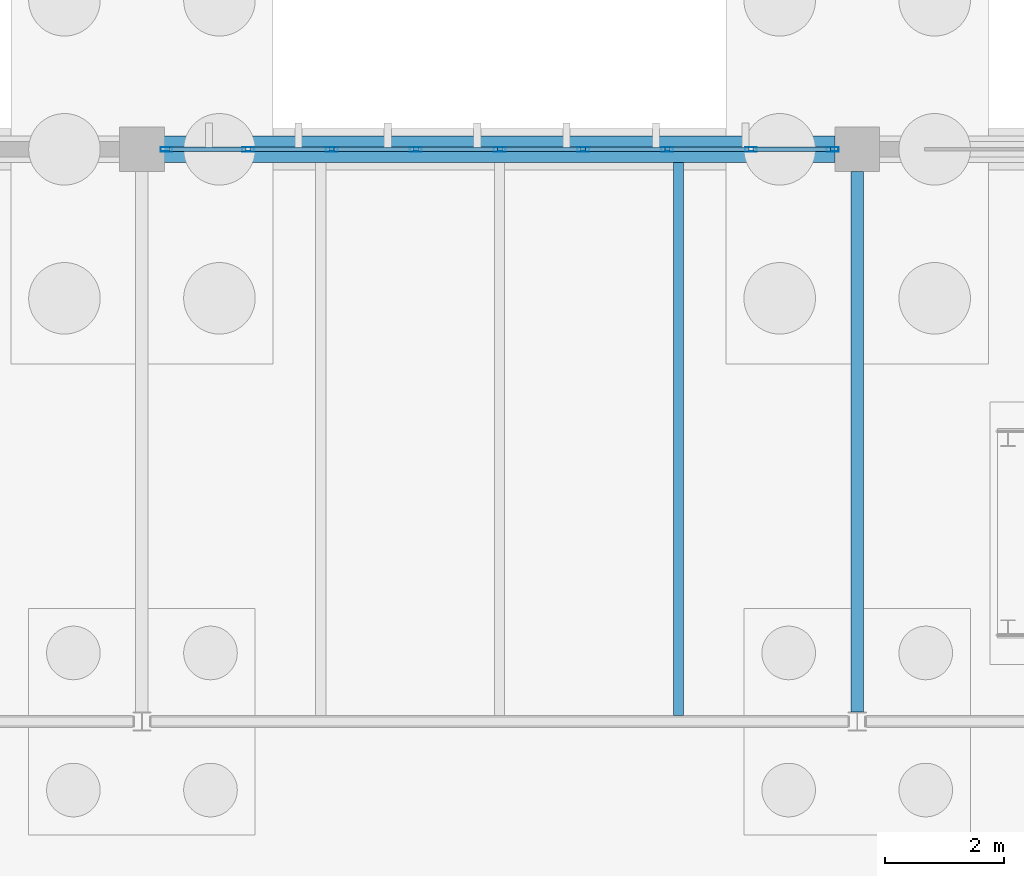
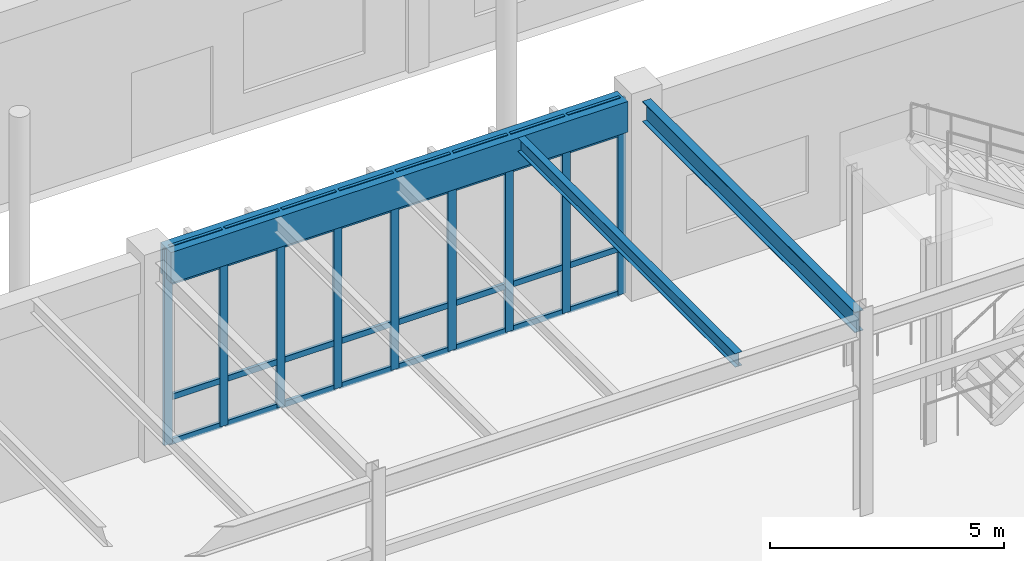
# One storey, part 77 of 188: 41 members, 3 beams, 1 element without a shape of its own.
"""IFC4 building model written with IfcOpenShell, lengths in metres."""

from ifc_helpers import new_model, si_unit, direction, frame, origin, origin_2d, place, context, subcontext, project, spatial, rectangle, hollow_rectangle, i_section, extrude, material, layer, layer_set, material_profile, profile_set, type_object, element, aggregate, save


model = new_model("IFC4")

# Units and contexts
model_context = context("Model", 3, precision=1e-05, world=origin(), true_north=direction((0.0, 1.0)))
body_context = subcontext(model_context, "Body", "Model", "MODEL_VIEW")
ifc_project = project(units=[si_unit("LENGTHUNIT", "METRE"), si_unit("AREAUNIT", "SQUARE_METRE"), si_unit("VOLUMEUNIT", "CUBIC_METRE"), si_unit("PLANEANGLEUNIT", "RADIAN"), si_unit("MASSUNIT", "GRAM", prefix="KILO")], contexts=[model_context])

# Site, building, storey
site_placement = place(None, origin())
site = spatial("IfcSite", under=ifc_project, at=site_placement, CompositionType="ELEMENT")
building_placement = place(site_placement, origin())
building = spatial("IfcBuilding", under=site, at=building_placement, Name="Pandanus Reach Market Hall", CompositionType="ELEMENT")
storey_placement = place(building_placement, origin())
storey = spatial("IfcBuildingStorey", under=building, at=storey_placement, Name="L00", CompositionType="ELEMENT", Elevation=0.0)

# Beams
ifc_material_1 = material(Name="Concrete N40 (40 MPa)", Category="concrete")
ifc_material_profile_1 = material_profile(ifc_material_1, rectangle(XDim=0.449951171875, YDim=0.800048828125, at=origin_2d()), Name="RC450x800", Category="LoadBearing")
ifc_profile_set_1 = profile_set([ifc_material_profile_1], Name="Concrete N40 (40 MPa)")
beam_type_1 = type_object("IfcBeamType", Name="BM-RC450-E", PredefinedType="SPANDREL", material=ifc_profile_set_1)
beam_1_placement = place(storey_placement, frame((72.373046875, 86.39990234375, 4.719970703125), z_axis=(1.0, 0.0, 0.0), x_axis=(0.0, 1.0, 0.0)))
element("IfcBeam", 1, at=beam_1_placement, inside=storey, type_object=beam_type_1, Name="Framing beam BM-RC450-E L00.1061", PredefinedType="SPANDREL", context=body_context, shape_type="SweptSolid", body=[
    extrude(rectangle(XDim=0.449951171875, YDim=0.800048828125, at=origin_2d()), origin(), (0.0, 0.0, 1.0), 11.25390625),
])
ifc_material_2 = material(Name="Steel Grade 350 (350 MPa)", Category="steel")
ifc_material_profile_2 = material_profile(ifc_material_2, i_section(OverallWidth=0.208984375, OverallDepth=0.532958984375, WebThickness=0.01025390625, FlangeThickness=0.015625, at=origin_2d()), Name="530UB92.4", Category="LoadBearing")
ifc_profile_set_2 = profile_set([ifc_material_profile_2], Name="Steel Grade 350 (350 MPa)")
beam_type_2 = type_object("IfcBeamType", Name="BM-UB530-I", PredefinedType="BEAM", material=ifc_profile_set_2)
beam_2_placement = place(storey_placement, frame((84.0, 76.95556640625, 4.85302734375), z_axis=(0.0, 1.0, 0.0), x_axis=(-1.0, 0.0, 0.0)))
element("IfcBeam", 2, at=beam_2_placement, inside=storey, type_object=beam_type_2, Name="Framing beam BM-UB530-I L00.1073", PredefinedType="BEAM", context=body_context, shape_type="SweptSolid", body=[
    extrude(i_section(OverallWidth=0.208984375, OverallDepth=0.532958984375, WebThickness=0.01025390625, FlangeThickness=0.015625, at=origin_2d()), origin(), (0.0, 0.0, 1.0), 9.071533203125),
])

# Curtain wall, members
ifc_material_3 = material(Name="Bronze anodised aluminium and low-E glass", Category="aluminium")
ifc_layer = layer(ifc_material_3, 0.199951171875, Name="CW-01")
ifc_layer_set = layer_set([ifc_layer], Name="Bronze anodised aluminium and low-E glass")
curtain_wall_type = type_object("IfcCurtainWallType", Name="CW-01", PredefinedType="NOTDEFINED", material=ifc_layer_set)
curtain_wall_placement = place(storey_placement, origin())
curtain_wall = element("IfcCurtainWall", 3, at=curtain_wall_placement, inside=storey, type_object=curtain_wall_type, Name="Glazed curtain wall CW-01 CW-0011", PredefinedType="NOTDEFINED")
ifc_material_4 = material(Name="Bronze anodised aluminium", Category="aluminium")
ifc_material_profile_3 = material_profile(ifc_material_4, hollow_rectangle(XDim=0.074951171875, YDim=0.199951171875, WallThickness=0.00439453125, at=origin_2d()), Name="ALU75x200", Category="LoadBearing")
ifc_profile_set_3 = profile_set([ifc_material_profile_3], Name="Bronze anodised aluminium")
member_type_1 = type_object("IfcMemberType", Name="CW-M2", PredefinedType="MULLION", material=ifc_profile_set_3)
member_1_placement = place(storey_placement, frame((72.41259765625, 86.39990234375, 0.0), z_axis=(0.0, 0.0, 1.0), x_axis=(0.0, 1.0, 0.0)))
member_1 = element("IfcMember", 4, at=member_1_placement, type_object=member_type_1, Name="CW-01 mullion 1", PredefinedType="MULLION", context=body_context, shape_type="SweptSolid", body=[
    extrude(hollow_rectangle(XDim=0.074951171875, YDim=0.199951171875, WallThickness=0.00439453125, at=origin_2d()), origin(), (0.0, 0.0, 1.0), 5.10009765625),
])
member_2_placement = place(storey_placement, frame((73.78125, 86.39990234375, 0.0), z_axis=(0.0, 0.0, 1.0), x_axis=(0.0, 1.0, 0.0)))
member_2 = element("IfcMember", 5, at=member_2_placement, type_object=member_type_1, Name="CW-01 mullion 2", PredefinedType="MULLION", context=body_context, shape_type="SweptSolid", body=[
    extrude(hollow_rectangle(XDim=0.074951171875, YDim=0.199951171875, WallThickness=0.00439453125, at=origin_2d()), origin(), (0.0, 0.0, 1.0), 5.10009765625),
])
member_3_placement = place(storey_placement, frame((75.1875, 86.39990234375, 0.0), z_axis=(0.0, 0.0, 1.0), x_axis=(0.0, 1.0, 0.0)))
member_3 = element("IfcMember", 6, at=member_3_placement, type_object=member_type_1, Name="CW-01 mullion 3", PredefinedType="MULLION", context=body_context, shape_type="SweptSolid", body=[
    extrude(hollow_rectangle(XDim=0.074951171875, YDim=0.199951171875, WallThickness=0.00439453125, at=origin_2d()), origin(), (0.0, 0.0, 1.0), 5.10009765625),
])
member_4_placement = place(storey_placement, frame((76.59375, 86.39990234375, 0.0), z_axis=(0.0, 0.0, 1.0), x_axis=(0.0, 1.0, 0.0)))
member_4 = element("IfcMember", 7, at=member_4_placement, type_object=member_type_1, Name="CW-01 mullion 4", PredefinedType="MULLION", context=body_context, shape_type="SweptSolid", body=[
    extrude(hollow_rectangle(XDim=0.074951171875, YDim=0.199951171875, WallThickness=0.00439453125, at=origin_2d()), origin(), (0.0, 0.0, 1.0), 5.10009765625),
])
member_5_placement = place(storey_placement, frame((78.0, 86.39990234375, 0.0), z_axis=(0.0, 0.0, 1.0), x_axis=(0.0, 1.0, 0.0)))
member_5 = element("IfcMember", 8, at=member_5_placement, type_object=member_type_1, Name="CW-01 mullion 5", PredefinedType="MULLION", context=body_context, shape_type="SweptSolid", body=[
    extrude(hollow_rectangle(XDim=0.074951171875, YDim=0.199951171875, WallThickness=0.00439453125, at=origin_2d()), origin(), (0.0, 0.0, 1.0), 5.10009765625),
])
member_6_placement = place(storey_placement, frame((79.40625, 86.39990234375, 0.0), z_axis=(0.0, 0.0, 1.0), x_axis=(0.0, 1.0, 0.0)))
member_6 = element("IfcMember", 9, at=member_6_placement, type_object=member_type_1, Name="CW-01 mullion 6", PredefinedType="MULLION", context=body_context, shape_type="SweptSolid", body=[
    extrude(hollow_rectangle(XDim=0.074951171875, YDim=0.199951171875, WallThickness=0.00439453125, at=origin_2d()), origin(), (0.0, 0.0, 1.0), 5.10009765625),
])
member_7_placement = place(storey_placement, frame((80.8125, 86.39990234375, 0.0), z_axis=(0.0, 0.0, 1.0), x_axis=(0.0, 1.0, 0.0)))
member_7 = element("IfcMember", 10, at=member_7_placement, type_object=member_type_1, Name="CW-01 mullion 7", PredefinedType="MULLION", context=body_context, shape_type="SweptSolid", body=[
    extrude(hollow_rectangle(XDim=0.074951171875, YDim=0.199951171875, WallThickness=0.00439453125, at=origin_2d()), origin(), (0.0, 0.0, 1.0), 5.10009765625),
])
member_8_placement = place(storey_placement, frame((82.21875, 86.39990234375, 0.0), z_axis=(0.0, 0.0, 1.0), x_axis=(0.0, 1.0, 0.0)))
member_8 = element("IfcMember", 11, at=member_8_placement, type_object=member_type_1, Name="CW-01 mullion 8", PredefinedType="MULLION", context=body_context, shape_type="SweptSolid", body=[
    extrude(hollow_rectangle(XDim=0.074951171875, YDim=0.199951171875, WallThickness=0.00439453125, at=origin_2d()), origin(), (0.0, 0.0, 1.0), 5.10009765625),
])
member_9_placement = place(storey_placement, frame((83.58740234375, 86.39990234375, 0.0), z_axis=(0.0, 0.0, 1.0), x_axis=(0.0, 1.0, 0.0)))
member_9 = element("IfcMember", 12, at=member_9_placement, type_object=member_type_1, Name="CW-01 mullion 9", PredefinedType="MULLION", context=body_context, shape_type="SweptSolid", body=[
    extrude(hollow_rectangle(XDim=0.074951171875, YDim=0.199951171875, WallThickness=0.00439453125, at=origin_2d()), origin(), (0.0, 0.0, 1.0), 5.10009765625),
])
ifc_material_profile_4 = material_profile(ifc_material_4, hollow_rectangle(XDim=0.074951171875, YDim=0.14990234375, WallThickness=0.00439453125, at=origin_2d()), Name="ALU75x150", Category="LoadBearing")
ifc_profile_set_4 = profile_set([ifc_material_profile_4], Name="Bronze anodised aluminium")
member_type_2 = type_object("IfcMemberType", Name="CW-T2", PredefinedType="USERDEFINED", material=ifc_profile_set_4)
member_10_placement = place(storey_placement, frame((72.449951171875, 86.39990234375, 0.03759765625), z_axis=(1.0, 0.0, 0.0), x_axis=(0.0, 1.0, 0.0)))
member_10 = element("IfcMember", 13, at=member_10_placement, type_object=member_type_2, Name="CW-01 transom 1.1", ObjectType="TRANSOM", PredefinedType="USERDEFINED", context=body_context, shape_type="SweptSolid", body=[
    extrude(hollow_rectangle(XDim=0.074951171875, YDim=0.14990234375, WallThickness=0.00439453125, at=origin_2d()), origin(), (0.0, 0.0, 1.0), 1.293701171875),
])
member_11_placement = place(storey_placement, frame((72.449951171875, 86.39990234375, 1.199951171875), z_axis=(1.0, 0.0, 0.0), x_axis=(0.0, 1.0, 0.0)))
member_11 = element("IfcMember", 14, at=member_11_placement, type_object=member_type_2, Name="CW-01 transom 1.2", ObjectType="TRANSOM", PredefinedType="USERDEFINED", context=body_context, shape_type="SweptSolid", body=[
    extrude(hollow_rectangle(XDim=0.074951171875, YDim=0.14990234375, WallThickness=0.00439453125, at=origin_2d()), origin(), (0.0, 0.0, 1.0), 1.293701171875),
])
member_12_placement = place(storey_placement, frame((72.449951171875, 86.39990234375, 4.199951171875), z_axis=(1.0, 0.0, 0.0), x_axis=(0.0, 1.0, 0.0)))
member_12 = element("IfcMember", 15, at=member_12_placement, type_object=member_type_2, Name="CW-01 transom 1.3", ObjectType="TRANSOM", PredefinedType="USERDEFINED", context=body_context, shape_type="SweptSolid", body=[
    extrude(hollow_rectangle(XDim=0.074951171875, YDim=0.14990234375, WallThickness=0.00439453125, at=origin_2d()), origin(), (0.0, 0.0, 1.0), 1.293701171875),
])
member_13_placement = place(storey_placement, frame((72.449951171875, 86.39990234375, 5.0625), z_axis=(1.0, 0.0, 0.0), x_axis=(0.0, 1.0, 0.0)))
member_13 = element("IfcMember", 16, at=member_13_placement, type_object=member_type_2, Name="CW-01 transom 1.4", ObjectType="TRANSOM", PredefinedType="USERDEFINED", context=body_context, shape_type="SweptSolid", body=[
    extrude(hollow_rectangle(XDim=0.074951171875, YDim=0.14990234375, WallThickness=0.00439453125, at=origin_2d()), origin(), (0.0, 0.0, 1.0), 1.293701171875),
])
member_14_placement = place(storey_placement, frame((73.81884765625, 86.39990234375, 0.03759765625), z_axis=(1.0, 0.0, 0.0), x_axis=(0.0, 1.0, 0.0)))
member_14 = element("IfcMember", 17, at=member_14_placement, type_object=member_type_2, Name="CW-01 transom 2.1", ObjectType="TRANSOM", PredefinedType="USERDEFINED", context=body_context, shape_type="SweptSolid", body=[
    extrude(hollow_rectangle(XDim=0.074951171875, YDim=0.14990234375, WallThickness=0.00439453125, at=origin_2d()), origin(), (0.0, 0.0, 1.0), 1.3310546875),
])
member_15_placement = place(storey_placement, frame((73.81884765625, 86.39990234375, 1.199951171875), z_axis=(1.0, 0.0, 0.0), x_axis=(0.0, 1.0, 0.0)))
member_15 = element("IfcMember", 18, at=member_15_placement, type_object=member_type_2, Name="CW-01 transom 2.2", ObjectType="TRANSOM", PredefinedType="USERDEFINED", context=body_context, shape_type="SweptSolid", body=[
    extrude(hollow_rectangle(XDim=0.074951171875, YDim=0.14990234375, WallThickness=0.00439453125, at=origin_2d()), origin(), (0.0, 0.0, 1.0), 1.3310546875),
])
member_16_placement = place(storey_placement, frame((73.81884765625, 86.39990234375, 4.199951171875), z_axis=(1.0, 0.0, 0.0), x_axis=(0.0, 1.0, 0.0)))
member_16 = element("IfcMember", 19, at=member_16_placement, type_object=member_type_2, Name="CW-01 transom 2.3", ObjectType="TRANSOM", PredefinedType="USERDEFINED", context=body_context, shape_type="SweptSolid", body=[
    extrude(hollow_rectangle(XDim=0.074951171875, YDim=0.14990234375, WallThickness=0.00439453125, at=origin_2d()), origin(), (0.0, 0.0, 1.0), 1.3310546875),
])
member_17_placement = place(storey_placement, frame((73.81884765625, 86.39990234375, 5.0625), z_axis=(1.0, 0.0, 0.0), x_axis=(0.0, 1.0, 0.0)))
member_17 = element("IfcMember", 20, at=member_17_placement, type_object=member_type_2, Name="CW-01 transom 2.4", ObjectType="TRANSOM", PredefinedType="USERDEFINED", context=body_context, shape_type="SweptSolid", body=[
    extrude(hollow_rectangle(XDim=0.074951171875, YDim=0.14990234375, WallThickness=0.00439453125, at=origin_2d()), origin(), (0.0, 0.0, 1.0), 1.3310546875),
])
member_18_placement = place(storey_placement, frame((75.22509765625, 86.39990234375, 0.03759765625), z_axis=(1.0, 0.0, 0.0), x_axis=(0.0, 1.0, 0.0)))
member_18 = element("IfcMember", 21, at=member_18_placement, type_object=member_type_2, Name="CW-01 transom 3.1", ObjectType="TRANSOM", PredefinedType="USERDEFINED", context=body_context, shape_type="SweptSolid", body=[
    extrude(hollow_rectangle(XDim=0.074951171875, YDim=0.14990234375, WallThickness=0.00439453125, at=origin_2d()), origin(), (0.0, 0.0, 1.0), 1.3310546875),
])
member_19_placement = place(storey_placement, frame((75.22509765625, 86.39990234375, 1.199951171875), z_axis=(1.0, 0.0, 0.0), x_axis=(0.0, 1.0, 0.0)))
member_19 = element("IfcMember", 22, at=member_19_placement, type_object=member_type_2, Name="CW-01 transom 3.2", ObjectType="TRANSOM", PredefinedType="USERDEFINED", context=body_context, shape_type="SweptSolid", body=[
    extrude(hollow_rectangle(XDim=0.074951171875, YDim=0.14990234375, WallThickness=0.00439453125, at=origin_2d()), origin(), (0.0, 0.0, 1.0), 1.3310546875),
])
member_20_placement = place(storey_placement, frame((75.22509765625, 86.39990234375, 4.199951171875), z_axis=(1.0, 0.0, 0.0), x_axis=(0.0, 1.0, 0.0)))
member_20 = element("IfcMember", 23, at=member_20_placement, type_object=member_type_2, Name="CW-01 transom 3.3", ObjectType="TRANSOM", PredefinedType="USERDEFINED", context=body_context, shape_type="SweptSolid", body=[
    extrude(hollow_rectangle(XDim=0.074951171875, YDim=0.14990234375, WallThickness=0.00439453125, at=origin_2d()), origin(), (0.0, 0.0, 1.0), 1.3310546875),
])
member_21_placement = place(storey_placement, frame((75.22509765625, 86.39990234375, 5.0625), z_axis=(1.0, 0.0, 0.0), x_axis=(0.0, 1.0, 0.0)))
member_21 = element("IfcMember", 24, at=member_21_placement, type_object=member_type_2, Name="CW-01 transom 3.4", ObjectType="TRANSOM", PredefinedType="USERDEFINED", context=body_context, shape_type="SweptSolid", body=[
    extrude(hollow_rectangle(XDim=0.074951171875, YDim=0.14990234375, WallThickness=0.00439453125, at=origin_2d()), origin(), (0.0, 0.0, 1.0), 1.3310546875),
])
member_22_placement = place(storey_placement, frame((76.63134765625, 86.39990234375, 0.03759765625), z_axis=(1.0, 0.0, 0.0), x_axis=(0.0, 1.0, 0.0)))
member_22 = element("IfcMember", 25, at=member_22_placement, type_object=member_type_2, Name="CW-01 transom 4.1", ObjectType="TRANSOM", PredefinedType="USERDEFINED", context=body_context, shape_type="SweptSolid", body=[
    extrude(hollow_rectangle(XDim=0.074951171875, YDim=0.14990234375, WallThickness=0.00439453125, at=origin_2d()), origin(), (0.0, 0.0, 1.0), 1.3310546875),
])
member_23_placement = place(storey_placement, frame((76.63134765625, 86.39990234375, 1.199951171875), z_axis=(1.0, 0.0, 0.0), x_axis=(0.0, 1.0, 0.0)))
member_23 = element("IfcMember", 26, at=member_23_placement, type_object=member_type_2, Name="CW-01 transom 4.2", ObjectType="TRANSOM", PredefinedType="USERDEFINED", context=body_context, shape_type="SweptSolid", body=[
    extrude(hollow_rectangle(XDim=0.074951171875, YDim=0.14990234375, WallThickness=0.00439453125, at=origin_2d()), origin(), (0.0, 0.0, 1.0), 1.3310546875),
])
member_24_placement = place(storey_placement, frame((76.63134765625, 86.39990234375, 4.199951171875), z_axis=(1.0, 0.0, 0.0), x_axis=(0.0, 1.0, 0.0)))
member_24 = element("IfcMember", 27, at=member_24_placement, type_object=member_type_2, Name="CW-01 transom 4.3", ObjectType="TRANSOM", PredefinedType="USERDEFINED", context=body_context, shape_type="SweptSolid", body=[
    extrude(hollow_rectangle(XDim=0.074951171875, YDim=0.14990234375, WallThickness=0.00439453125, at=origin_2d()), origin(), (0.0, 0.0, 1.0), 1.3310546875),
])
member_25_placement = place(storey_placement, frame((76.63134765625, 86.39990234375, 5.0625), z_axis=(1.0, 0.0, 0.0), x_axis=(0.0, 1.0, 0.0)))
member_25 = element("IfcMember", 28, at=member_25_placement, type_object=member_type_2, Name="CW-01 transom 4.4", ObjectType="TRANSOM", PredefinedType="USERDEFINED", context=body_context, shape_type="SweptSolid", body=[
    extrude(hollow_rectangle(XDim=0.074951171875, YDim=0.14990234375, WallThickness=0.00439453125, at=origin_2d()), origin(), (0.0, 0.0, 1.0), 1.3310546875),
])
member_26_placement = place(storey_placement, frame((78.03759765625, 86.39990234375, 0.03759765625), z_axis=(1.0, 0.0, 0.0), x_axis=(0.0, 1.0, 0.0)))
member_26 = element("IfcMember", 29, at=member_26_placement, type_object=member_type_2, Name="CW-01 transom 5.1", ObjectType="TRANSOM", PredefinedType="USERDEFINED", context=body_context, shape_type="SweptSolid", body=[
    extrude(hollow_rectangle(XDim=0.074951171875, YDim=0.14990234375, WallThickness=0.00439453125, at=origin_2d()), origin(), (0.0, 0.0, 1.0), 1.3310546875),
])
member_27_placement = place(storey_placement, frame((78.03759765625, 86.39990234375, 1.199951171875), z_axis=(1.0, 0.0, 0.0), x_axis=(0.0, 1.0, 0.0)))
member_27 = element("IfcMember", 30, at=member_27_placement, type_object=member_type_2, Name="CW-01 transom 5.2", ObjectType="TRANSOM", PredefinedType="USERDEFINED", context=body_context, shape_type="SweptSolid", body=[
    extrude(hollow_rectangle(XDim=0.074951171875, YDim=0.14990234375, WallThickness=0.00439453125, at=origin_2d()), origin(), (0.0, 0.0, 1.0), 1.3310546875),
])
member_28_placement = place(storey_placement, frame((78.03759765625, 86.39990234375, 4.199951171875), z_axis=(1.0, 0.0, 0.0), x_axis=(0.0, 1.0, 0.0)))
member_28 = element("IfcMember", 31, at=member_28_placement, type_object=member_type_2, Name="CW-01 transom 5.3", ObjectType="TRANSOM", PredefinedType="USERDEFINED", context=body_context, shape_type="SweptSolid", body=[
    extrude(hollow_rectangle(XDim=0.074951171875, YDim=0.14990234375, WallThickness=0.00439453125, at=origin_2d()), origin(), (0.0, 0.0, 1.0), 1.3310546875),
])
member_29_placement = place(storey_placement, frame((78.03759765625, 86.39990234375, 5.0625), z_axis=(1.0, 0.0, 0.0), x_axis=(0.0, 1.0, 0.0)))
member_29 = element("IfcMember", 32, at=member_29_placement, type_object=member_type_2, Name="CW-01 transom 5.4", ObjectType="TRANSOM", PredefinedType="USERDEFINED", context=body_context, shape_type="SweptSolid", body=[
    extrude(hollow_rectangle(XDim=0.074951171875, YDim=0.14990234375, WallThickness=0.00439453125, at=origin_2d()), origin(), (0.0, 0.0, 1.0), 1.3310546875),
])
member_30_placement = place(storey_placement, frame((79.44384765625, 86.39990234375, 0.03759765625), z_axis=(1.0, 0.0, 0.0), x_axis=(0.0, 1.0, 0.0)))
member_30 = element("IfcMember", 33, at=member_30_placement, type_object=member_type_2, Name="CW-01 transom 6.1", ObjectType="TRANSOM", PredefinedType="USERDEFINED", context=body_context, shape_type="SweptSolid", body=[
    extrude(hollow_rectangle(XDim=0.074951171875, YDim=0.14990234375, WallThickness=0.00439453125, at=origin_2d()), origin(), (0.0, 0.0, 1.0), 1.3310546875),
])
member_31_placement = place(storey_placement, frame((79.44384765625, 86.39990234375, 1.199951171875), z_axis=(1.0, 0.0, 0.0), x_axis=(0.0, 1.0, 0.0)))
member_31 = element("IfcMember", 34, at=member_31_placement, type_object=member_type_2, Name="CW-01 transom 6.2", ObjectType="TRANSOM", PredefinedType="USERDEFINED", context=body_context, shape_type="SweptSolid", body=[
    extrude(hollow_rectangle(XDim=0.074951171875, YDim=0.14990234375, WallThickness=0.00439453125, at=origin_2d()), origin(), (0.0, 0.0, 1.0), 1.3310546875),
])
member_32_placement = place(storey_placement, frame((79.44384765625, 86.39990234375, 4.199951171875), z_axis=(1.0, 0.0, 0.0), x_axis=(0.0, 1.0, 0.0)))
member_32 = element("IfcMember", 35, at=member_32_placement, type_object=member_type_2, Name="CW-01 transom 6.3", ObjectType="TRANSOM", PredefinedType="USERDEFINED", context=body_context, shape_type="SweptSolid", body=[
    extrude(hollow_rectangle(XDim=0.074951171875, YDim=0.14990234375, WallThickness=0.00439453125, at=origin_2d()), origin(), (0.0, 0.0, 1.0), 1.3310546875),
])
member_33_placement = place(storey_placement, frame((79.44384765625, 86.39990234375, 5.0625), z_axis=(1.0, 0.0, 0.0), x_axis=(0.0, 1.0, 0.0)))
member_33 = element("IfcMember", 36, at=member_33_placement, type_object=member_type_2, Name="CW-01 transom 6.4", ObjectType="TRANSOM", PredefinedType="USERDEFINED", context=body_context, shape_type="SweptSolid", body=[
    extrude(hollow_rectangle(XDim=0.074951171875, YDim=0.14990234375, WallThickness=0.00439453125, at=origin_2d()), origin(), (0.0, 0.0, 1.0), 1.3310546875),
])
member_34_placement = place(storey_placement, frame((80.85009765625, 86.39990234375, 0.03759765625), z_axis=(1.0, 0.0, 0.0), x_axis=(0.0, 1.0, 0.0)))
member_34 = element("IfcMember", 37, at=member_34_placement, type_object=member_type_2, Name="CW-01 transom 7.1", ObjectType="TRANSOM", PredefinedType="USERDEFINED", context=body_context, shape_type="SweptSolid", body=[
    extrude(hollow_rectangle(XDim=0.074951171875, YDim=0.14990234375, WallThickness=0.00439453125, at=origin_2d()), origin(), (0.0, 0.0, 1.0), 1.3310546875),
])
member_35_placement = place(storey_placement, frame((80.85009765625, 86.39990234375, 1.199951171875), z_axis=(1.0, 0.0, 0.0), x_axis=(0.0, 1.0, 0.0)))
member_35 = element("IfcMember", 38, at=member_35_placement, type_object=member_type_2, Name="CW-01 transom 7.2", ObjectType="TRANSOM", PredefinedType="USERDEFINED", context=body_context, shape_type="SweptSolid", body=[
    extrude(hollow_rectangle(XDim=0.074951171875, YDim=0.14990234375, WallThickness=0.00439453125, at=origin_2d()), origin(), (0.0, 0.0, 1.0), 1.3310546875),
])
member_36_placement = place(storey_placement, frame((80.85009765625, 86.39990234375, 4.199951171875), z_axis=(1.0, 0.0, 0.0), x_axis=(0.0, 1.0, 0.0)))
member_36 = element("IfcMember", 39, at=member_36_placement, type_object=member_type_2, Name="CW-01 transom 7.3", ObjectType="TRANSOM", PredefinedType="USERDEFINED", context=body_context, shape_type="SweptSolid", body=[
    extrude(hollow_rectangle(XDim=0.074951171875, YDim=0.14990234375, WallThickness=0.00439453125, at=origin_2d()), origin(), (0.0, 0.0, 1.0), 1.3310546875),
])
member_37_placement = place(storey_placement, frame((80.85009765625, 86.39990234375, 5.0625), z_axis=(1.0, 0.0, 0.0), x_axis=(0.0, 1.0, 0.0)))
member_37 = element("IfcMember", 40, at=member_37_placement, type_object=member_type_2, Name="CW-01 transom 7.4", ObjectType="TRANSOM", PredefinedType="USERDEFINED", context=body_context, shape_type="SweptSolid", body=[
    extrude(hollow_rectangle(XDim=0.074951171875, YDim=0.14990234375, WallThickness=0.00439453125, at=origin_2d()), origin(), (0.0, 0.0, 1.0), 1.3310546875),
])
member_38_placement = place(storey_placement, frame((82.25634765625, 86.39990234375, 0.03759765625), z_axis=(1.0, 0.0, 0.0), x_axis=(0.0, 1.0, 0.0)))
member_38 = element("IfcMember", 41, at=member_38_placement, type_object=member_type_2, Name="CW-01 transom 8.1", ObjectType="TRANSOM", PredefinedType="USERDEFINED", context=body_context, shape_type="SweptSolid", body=[
    extrude(hollow_rectangle(XDim=0.074951171875, YDim=0.14990234375, WallThickness=0.00439453125, at=origin_2d()), origin(), (0.0, 0.0, 1.0), 1.293701171875),
])
member_39_placement = place(storey_placement, frame((82.25634765625, 86.39990234375, 1.199951171875), z_axis=(1.0, 0.0, 0.0), x_axis=(0.0, 1.0, 0.0)))
member_39 = element("IfcMember", 42, at=member_39_placement, type_object=member_type_2, Name="CW-01 transom 8.2", ObjectType="TRANSOM", PredefinedType="USERDEFINED", context=body_context, shape_type="SweptSolid", body=[
    extrude(hollow_rectangle(XDim=0.074951171875, YDim=0.14990234375, WallThickness=0.00439453125, at=origin_2d()), origin(), (0.0, 0.0, 1.0), 1.293701171875),
])
member_40_placement = place(storey_placement, frame((82.25634765625, 86.39990234375, 4.199951171875), z_axis=(1.0, 0.0, 0.0), x_axis=(0.0, 1.0, 0.0)))
member_40 = element("IfcMember", 43, at=member_40_placement, type_object=member_type_2, Name="CW-01 transom 8.3", ObjectType="TRANSOM", PredefinedType="USERDEFINED", context=body_context, shape_type="SweptSolid", body=[
    extrude(hollow_rectangle(XDim=0.074951171875, YDim=0.14990234375, WallThickness=0.00439453125, at=origin_2d()), origin(), (0.0, 0.0, 1.0), 1.293701171875),
])
member_41_placement = place(storey_placement, frame((82.25634765625, 86.39990234375, 5.0625), z_axis=(1.0, 0.0, 0.0), x_axis=(0.0, 1.0, 0.0)))
member_41 = element("IfcMember", 44, at=member_41_placement, type_object=member_type_2, Name="CW-01 transom 8.4", ObjectType="TRANSOM", PredefinedType="USERDEFINED", context=body_context, shape_type="SweptSolid", body=[
    extrude(hollow_rectangle(XDim=0.074951171875, YDim=0.14990234375, WallThickness=0.00439453125, at=origin_2d()), origin(), (0.0, 0.0, 1.0), 1.293701171875),
])
aggregate(curtain_wall, [member_1, member_2, member_3, member_4, member_5, member_6, member_7, member_8, member_9, member_10, member_11, member_12, member_13, member_14, member_15, member_16, member_17, member_18, member_19, member_20, member_21, member_22, member_23, member_24, member_25, member_26, member_27, member_28, member_29, member_30, member_31, member_32, member_33, member_34, member_35, member_36, member_37, member_38, member_39, member_40, member_41])

# Beam
ifc_material_profile_5 = material_profile(ifc_material_2, i_section(OverallWidth=0.1708984375, OverallDepth=0.35595703125, WebThickness=0.00732421875, FlangeThickness=0.011474609375, at=origin_2d()), Name="360UB50.7", Category="LoadBearing")
ifc_profile_set_5 = profile_set([ifc_material_profile_5], Name="Steel Grade 350 (350 MPa)")
beam_type_3 = type_object("IfcBeamType", Name="JS-UB360-I", PredefinedType="JOIST", material=ifc_profile_set_5)
beam_3_placement = place(storey_placement, frame((81.0, 76.902587890625, 4.941650390625), z_axis=(0.0, 1.0, 0.0), x_axis=(-1.0, 0.0, 0.0)))
element("IfcBeam", 45, at=beam_3_placement, inside=storey, type_object=beam_type_3, Name="Secondary joist JS-UB360-I L00.1119", PredefinedType="JOIST", context=body_context, shape_type="SweptSolid", body=[
    extrude(i_section(OverallWidth=0.1708984375, OverallDepth=0.35595703125, WebThickness=0.00732421875, FlangeThickness=0.011474609375, at=origin_2d()), origin(), (0.0, 0.0, 1.0), 9.2744140625),
])

save(model, "model.ifc")
